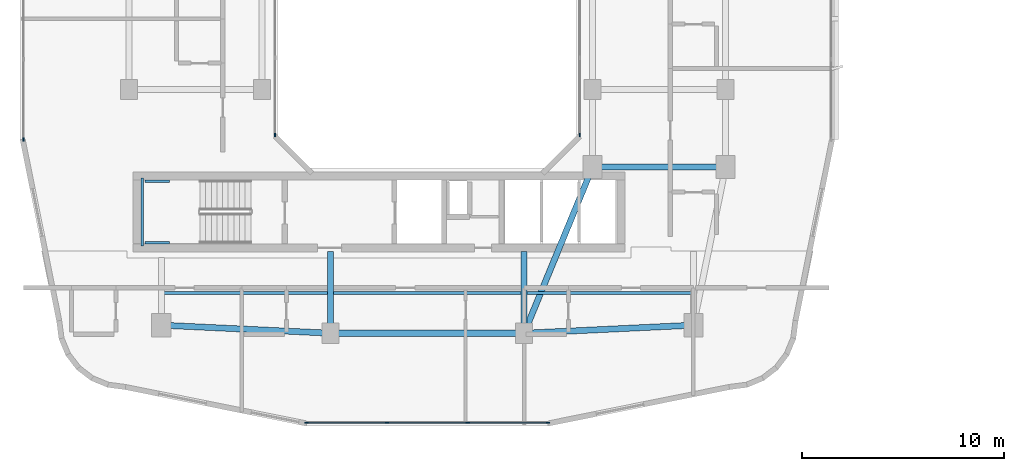
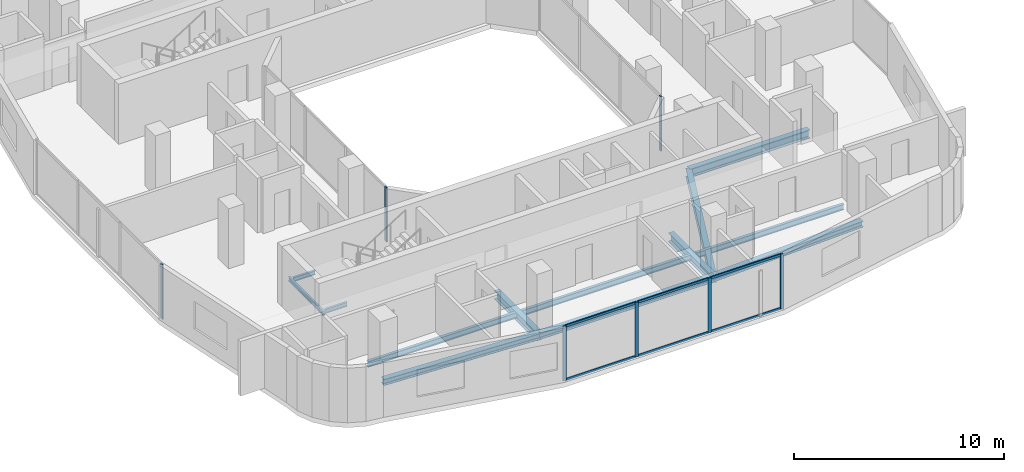
# One storey, part 2 of 26: 13 beams, 13 members, 4 elements without a shape of their own.
"""IFC4 building model written with IfcOpenShell, lengths in metres."""

from ifc_helpers import new_model, si_unit, derived_unit, direction, frame, origin, origin_2d, place, context, subcontext, project, spatial, rectangle, i_section, extrude, material, layer, layer_set, material_profile, profile_set, type_object, element, aggregate, save


model = new_model("IFC4")

# Units and contexts
model_context = context("Model", 3, precision=1e-05, world=origin(), true_north=direction((0.0, 1.0)))
body_context = subcontext(model_context, "Body", "Model", "MODEL_VIEW")
ifc_project = project(units=[si_unit("LENGTHUNIT", "METRE"), si_unit("AREAUNIT", "SQUARE_METRE"), si_unit("VOLUMEUNIT", "CUBIC_METRE"), si_unit("PLANEANGLEUNIT", "RADIAN"), si_unit("MASSUNIT", "GRAM", prefix="KILO"), derived_unit("THERMALTRANSMITTANCEUNIT", [(si_unit("POWERUNIT", "WATT"), 1), (si_unit("LENGTHUNIT", "METRE"), -2), (si_unit("THERMODYNAMICTEMPERATUREUNIT", "KELVIN"), -1)])], contexts=[model_context])

# Site, building, storey
site_placement = place(None, origin())
site = spatial("IfcSite", under=ifc_project, at=site_placement, CompositionType="ELEMENT")
building_placement = place(site_placement, origin())
building = spatial("IfcBuilding", under=site, at=building_placement, Name="Kivonza Crest Hotel", CompositionType="ELEMENT")
storey_placement = place(building_placement, frame((0.0, 0.0, 116.0)))
storey = spatial("IfcBuildingStorey", under=building, at=storey_placement, Name="L31", CompositionType="ELEMENT", Elevation=116.0)

# Beams
ifc_material_1 = material(Name="Steel S355", Category="steel")
ifc_material_profile_1 = material_profile(ifc_material_1, i_section(OverallWidth=0.300048828125, OverallDepth=0.360107421875, WebThickness=0.012451171875, FlangeThickness=0.0224609375, FilletRadius=0.027099609375, at=origin_2d()), Name="HEB 360")
ifc_profile_set_1 = profile_set([ifc_material_profile_1], Name="Steel S355")
beam_type_1 = type_object("IfcBeamType", Name="BM-HEB360", PredefinedType="SPANDREL", material=ifc_profile_set_1)
beam_1_placement = place(storey_placement, frame((16.199951171875, 9.39990234375, -0.4599609375), z_axis=(1.0, 0.0, 0.0), x_axis=(0.0, 1.0, 0.0)))
element("IfcBeam", 1, at=beam_1_placement, inside=storey, type_object=beam_type_1, Name="Tower T1 L31 perimeter spandrel S1-S2", PredefinedType="SPANDREL", context=body_context, shape_type="SweptSolid", body=[
    extrude(i_section(OverallWidth=0.300048828125, OverallDepth=0.360107421875, WebThickness=0.012451171875, FlangeThickness=0.0224609375, FilletRadius=0.027099609375, at=origin_2d()), origin(), (0.0, 0.0, 1.0), 9.60009765625),
])
for number, where, z_axis, x_axis, name in (
    (2, (25.800048828125, 9.39990234375, -0.4599609375), (0.998867283688, 0.047583080799, 0.0), (-0.047583080799, 0.998867283688, 0.0), "Tower T1 L31 perimeter spandrel S2-SE"),
    (3, (7.800048828125, 9.800048828125, -0.4599609375), (0.998867283688, -0.047583080799, 0.0), (0.047583080799, 0.998867283688, 0.0), "Tower T1 L31 perimeter spandrel SW-S1"),
):
    element("IfcBeam", number, at=place(storey_placement, frame(where, z_axis=z_axis, x_axis=x_axis)), inside=storey, type_object=beam_type_1, Name=name, PredefinedType="SPANDREL", context=body_context, shape_type="SweptSolid", body=[
        extrude(i_section(OverallWidth=0.300048828125, OverallDepth=0.360107421875, WebThickness=0.012451171875, FlangeThickness=0.0224609375, FilletRadius=0.027099609375, at=origin_2d()), origin(), (0.0, 0.0, 1.0), 8.409423828125),
    ])
ifc_material_profile_2 = material_profile(ifc_material_1, i_section(OverallWidth=0.300048828125, OverallDepth=0.5, WebThickness=0.014404296875, FlangeThickness=0.028076171875, FilletRadius=0.027099609375, at=origin_2d()), Name="HEB 500")
ifc_profile_set_2 = profile_set([ifc_material_profile_2], Name="Steel S355")
beam_type_2 = type_object("IfcBeamType", Name="BM-HEB500", PredefinedType="BEAM", material=ifc_profile_set_2)
beam_2_placement = place(storey_placement, frame((25.800048828125, 9.39990234375, -0.530029296875), z_axis=(0.381022260404, 0.924565864109, 0.0), x_axis=(-0.924565864109, 0.381022260404, 0.0)))
element("IfcBeam", 4, at=beam_2_placement, inside=storey, type_object=beam_type_2, Name="Tower T1 L31 primary girder S1-TSE", PredefinedType="BEAM", context=body_context, shape_type="SweptSolid", body=[
    extrude(i_section(OverallWidth=0.300048828125, OverallDepth=0.5, WebThickness=0.014404296875, FlangeThickness=0.028076171875, FilletRadius=0.027099609375, at=origin_2d()), origin(), (0.0, 0.0, 1.0), 8.923095703125),
])
beam_3_placement = place(storey_placement, frame((29.199951171875, 17.64990234375, -0.530029296875), z_axis=(1.0, 0.0, 0.0), x_axis=(0.0, 1.0, 0.0)))
element("IfcBeam", 5, at=beam_3_placement, inside=storey, type_object=beam_type_2, Name="Tower T1 L31 primary girder TSE-PSE", PredefinedType="BEAM", context=body_context, shape_type="SweptSolid", body=[
    extrude(i_section(OverallWidth=0.300048828125, OverallDepth=0.5, WebThickness=0.014404296875, FlangeThickness=0.028076171875, FilletRadius=0.027099609375, at=origin_2d()), origin(), (0.0, 0.0, 1.0), 6.60009765625),
])
for number, where, z_axis, x_axis, name in (
    (6, (16.199951171875, 9.39990234375, -0.530029296875), (0.0, 1.0, 0.0), (-1.0, 0.0, 0.0), "Tower T1 L31 radial core girder RS1"),
    (7, (25.800048828125, 9.39990234375, -0.530029296875), (0.0, 1.0, 0.0), (-1.0, 0.0, 0.0), "Tower T1 L31 radial core girder RS2"),
):
    element("IfcBeam", number, at=place(storey_placement, frame(where, z_axis=z_axis, x_axis=x_axis)), inside=storey, type_object=beam_type_2, Name=name, PredefinedType="BEAM", context=body_context, shape_type="SweptSolid", body=[
        extrude(i_section(OverallWidth=0.300048828125, OverallDepth=0.5, WebThickness=0.014404296875, FlangeThickness=0.028076171875, FilletRadius=0.027099609375, at=origin_2d()), origin(), (0.0, 0.0, 1.0), 4.050048828125),
    ])
ifc_material_profile_3 = material_profile(ifc_material_1, i_section(OverallWidth=0.159912109375, OverallDepth=0.330078125, WebThickness=0.007568359375, FlangeThickness=0.011474609375, FilletRadius=0.01806640625, at=origin_2d()), Name="IPE 330")
ifc_profile_set_3 = profile_set([ifc_material_profile_3], Name="Steel S355")
beam_type_3 = type_object("IfcBeamType", Name="BM-IPE330", PredefinedType="JOIST", material=ifc_profile_set_3)
beam_4_placement = place(storey_placement, frame((7.8798828125, 11.39990234375, -0.445068359375), z_axis=(1.0, 0.0, 0.0), x_axis=(0.0, 1.0, 0.0)))
element("IfcBeam", 8, at=beam_4_placement, inside=storey, type_object=beam_type_3, Name="Tower T1 L31 South-West floor joist", PredefinedType="JOIST", context=body_context, shape_type="SweptSolid", body=[
    extrude(i_section(OverallWidth=0.159912109375, OverallDepth=0.330078125, WebThickness=0.007568359375, FlangeThickness=0.011474609375, FilletRadius=0.01806640625, at=origin_2d()), origin(), (0.0, 0.0, 1.0), 8.240234375),
])
beam_5_placement = place(storey_placement, frame((16.280029296875, 11.39990234375, -0.445068359375), z_axis=(1.0, 0.0, 0.0), x_axis=(0.0, 1.0, 0.0)))
element("IfcBeam", 9, at=beam_5_placement, inside=storey, type_object=beam_type_3, Name="Tower T1 L31 South-Mid floor joist", PredefinedType="JOIST", context=body_context, shape_type="SweptSolid", body=[
    extrude(i_section(OverallWidth=0.159912109375, OverallDepth=0.330078125, WebThickness=0.007568359375, FlangeThickness=0.011474609375, FilletRadius=0.01806640625, at=origin_2d()), origin(), (0.0, 0.0, 1.0), 9.43994140625),
])
beam_6_placement = place(storey_placement, frame((25.8798828125, 11.39990234375, -0.445068359375), z_axis=(1.0, 0.0, 0.0), x_axis=(0.0, 1.0, 0.0)))
element("IfcBeam", 10, at=beam_6_placement, inside=storey, type_object=beam_type_3, Name="Tower T1 L31 South-East floor joist", PredefinedType="JOIST", context=body_context, shape_type="SweptSolid", body=[
    extrude(i_section(OverallWidth=0.159912109375, OverallDepth=0.330078125, WebThickness=0.007568359375, FlangeThickness=0.011474609375, FilletRadius=0.01806640625, at=origin_2d()), origin(), (0.0, 0.0, 1.0), 8.240234375),
])
ifc_material_profile_4 = material_profile(ifc_material_1, i_section(OverallWidth=0.1201171875, OverallDepth=0.239990234375, WebThickness=0.006103515625, FlangeThickness=0.009765625, FilletRadius=0.014892578125, at=origin_2d()), Name="IPE 240")
ifc_profile_set_4 = profile_set([ifc_material_profile_4], Name="Steel S355")
beam_type_4 = type_object("IfcBeamType", Name="BM-LLDG-240", PredefinedType="BEAM", material=ifc_profile_set_4)
beam_7_placement = place(storey_placement, frame((6.860107421875, 13.739990234375, 1.429931640625), z_axis=(0.0, 1.0, 0.0), x_axis=(-1.0, 0.0, 0.0)))
element("IfcBeam", 11, at=beam_7_placement, inside=storey, type_object=beam_type_4, Name="Stair ST-T1-S L31 West landing corbel", PredefinedType="BEAM", context=body_context, shape_type="SweptSolid", body=[
    extrude(i_section(OverallWidth=0.1201171875, OverallDepth=0.239990234375, WebThickness=0.006103515625, FlangeThickness=0.009765625, FilletRadius=0.014892578125, at=origin_2d()), origin(), (0.0, 0.0, 1.0), 3.360107421875),
])
for number, where, z_axis, x_axis, name in (
    (12, (6.989990234375, 13.89990234375, 1.429931640625), (1.0, 0.0, 0.0), (0.0, 1.0, 0.0), "Stair ST-T1-S L31 South landing corbel"),
    (13, (6.989990234375, 16.93994140625, 1.429931640625), (1.0, 0.0, 0.0), (0.0, 1.0, 0.0), "Stair ST-T1-S L31 North landing corbel"),
):
    element("IfcBeam", number, at=place(storey_placement, frame(where, z_axis=z_axis, x_axis=x_axis)), inside=storey, type_object=beam_type_4, Name=name, PredefinedType="BEAM", context=body_context, shape_type="SweptSolid", body=[
        extrude(i_section(OverallWidth=0.1201171875, OverallDepth=0.239990234375, WebThickness=0.006103515625, FlangeThickness=0.009765625, FilletRadius=0.014892578125, at=origin_2d()), origin(), (0.0, 0.0, 1.0), 1.2099609375),
    ])

# Curtain wall, members
ifc_material_2 = material(Name="Anodised bronze aluminium and low-E double glazing", Category="aluminium")
ifc_layer_1 = layer(ifc_material_2, 0.179931640625)
ifc_layer_set_1 = layer_set([ifc_layer_1], Name="Anodised bronze aluminium and low-E double glazing")
curtain_wall_type_1 = type_object("IfcCurtainWallType", Name="CW-SYS-2", PredefinedType="NOTDEFINED", material=ifc_layer_set_1)
curtain_wall_1_placement = place(storey_placement, origin())
curtain_wall_1 = element("IfcCurtainWall", 14, at=curtain_wall_1_placement, inside=storey, type_object=curtain_wall_type_1, Name="L31 unitised curtain wall CW-T1-L31-08", PredefinedType="NOTDEFINED")
ifc_material_3 = material(Name="Anodised bronze aluminium", Category="aluminium")
ifc_material_profile_5 = material_profile(ifc_material_3, rectangle(XDim=0.06494140625, YDim=0.179931640625, at=origin_2d()), Name="CW-M 65x180")
ifc_profile_set_5 = profile_set([ifc_material_profile_5], Name="Anodised bronze aluminium")
member_type_1 = type_object("IfcMemberType", Name="CW-MUL-65x180", PredefinedType="MULLION", material=ifc_profile_set_5)
member_1_placement = place(storey_placement, frame((15.012451171875, 4.9599609375, 0.0), z_axis=(0.0, 0.0, 1.0), x_axis=(0.0, 1.0, 0.0)))
member_1 = element("IfcMember", 15, at=member_1_placement, type_object=member_type_1, Name="CW-2 mullion 1", PredefinedType="MULLION", context=body_context, shape_type="SweptSolid", body=[
    extrude(rectangle(XDim=0.06494140625, YDim=0.179931640625, at=origin_2d()), origin(), (0.0, 0.0, 1.0), 3.179931640625),
])
member_2_placement = place(storey_placement, frame((18.993408203125, 4.9599609375, 0.0), z_axis=(0.0, 0.0, 1.0), x_axis=(0.0, 1.0, 0.0)))
member_2 = element("IfcMember", 16, at=member_2_placement, type_object=member_type_1, Name="CW-2 mullion 2", PredefinedType="MULLION", context=body_context, shape_type="SweptSolid", body=[
    extrude(rectangle(XDim=0.06494140625, YDim=0.179931640625, at=origin_2d()), origin(), (0.0, 0.0, 1.0), 3.179931640625),
])
member_3_placement = place(storey_placement, frame((23.006591796875, 4.9599609375, 0.0), z_axis=(0.0, 0.0, 1.0), x_axis=(0.0, 1.0, 0.0)))
member_3 = element("IfcMember", 17, at=member_3_placement, type_object=member_type_1, Name="CW-2 mullion 3", PredefinedType="MULLION", context=body_context, shape_type="SweptSolid", body=[
    extrude(rectangle(XDim=0.06494140625, YDim=0.179931640625, at=origin_2d()), origin(), (0.0, 0.0, 1.0), 3.179931640625),
])
member_4_placement = place(storey_placement, frame((26.987548828125, 4.9599609375, 0.0), z_axis=(0.0, 0.0, 1.0), x_axis=(0.0, 1.0, 0.0)))
member_4 = element("IfcMember", 18, at=member_4_placement, type_object=member_type_1, Name="CW-2 mullion 4", PredefinedType="MULLION", context=body_context, shape_type="SweptSolid", body=[
    extrude(rectangle(XDim=0.06494140625, YDim=0.179931640625, at=origin_2d()), origin(), (0.0, 0.0, 1.0), 3.179931640625),
])

# Curtain wall, member
curtain_wall_2_placement = place(storey_placement, origin())
curtain_wall_2 = element("IfcCurtainWall", 19, at=curtain_wall_2_placement, inside=storey, type_object=curtain_wall_type_1, Name="L31 unitised curtain wall CW-T1-L31-35", PredefinedType="NOTDEFINED")
member_5_placement = place(storey_placement, frame((0.9599609375, 19.012451171875, 0.0), z_axis=(0.0, 0.0, 1.0), x_axis=(1.0, 0.0, 0.0)))
member_5 = element("IfcMember", 20, at=member_5_placement, type_object=member_type_1, Name="CW-2 mullion 4", PredefinedType="MULLION", context=body_context, shape_type="SweptSolid", body=[
    extrude(rectangle(XDim=0.06494140625, YDim=0.179931640625, at=origin_2d()), origin(), (0.0, 0.0, 1.0), 3.179931640625),
])
aggregate(curtain_wall_2, [member_5])

ifc_layer_2 = layer(ifc_material_2, 0.159912109375)
ifc_layer_set_2 = layer_set([ifc_layer_2], Name="Anodised bronze aluminium and low-E double glazing")
curtain_wall_type_2 = type_object("IfcCurtainWallType", Name="CW-SYS-5", PredefinedType="NOTDEFINED", material=ifc_layer_set_2)
curtain_wall_3_placement = place(storey_placement, origin())
curtain_wall_3 = element("IfcCurtainWall", 21, at=curtain_wall_3_placement, inside=storey, type_object=curtain_wall_type_2, Name="L31 unitised curtain wall CW-WELL-T1-L31-3", PredefinedType="NOTDEFINED")
member_6_placement = place(storey_placement, frame((28.56005859375, 19.232421875, 0.0), z_axis=(0.0, 0.0, 1.0), x_axis=(-1.0, 0.0, 0.0)))
member_6 = element("IfcMember", 22, at=member_6_placement, type_object=member_type_1, Name="CW-5 mullion 1", PredefinedType="MULLION", context=body_context, shape_type="SweptSolid", body=[
    extrude(rectangle(XDim=0.06494140625, YDim=0.179931640625, at=origin_2d()), origin(), (0.0, 0.0, 1.0), 3.179931640625),
])
aggregate(curtain_wall_3, [member_6])

curtain_wall_4_placement = place(storey_placement, origin())
curtain_wall_4 = element("IfcCurtainWall", 23, at=curtain_wall_4_placement, inside=storey, type_object=curtain_wall_type_2, Name="L31 unitised curtain wall CW-WELL-T1-L31-7", PredefinedType="NOTDEFINED")
member_7_placement = place(storey_placement, frame((13.43994140625, 19.232421875, 0.0), z_axis=(0.0, 0.0, 1.0), x_axis=(1.0, 0.0, 0.0)))
member_7 = element("IfcMember", 24, at=member_7_placement, type_object=member_type_1, Name="CW-5 mullion 4", PredefinedType="MULLION", context=body_context, shape_type="SweptSolid", body=[
    extrude(rectangle(XDim=0.06494140625, YDim=0.179931640625, at=origin_2d()), origin(), (0.0, 0.0, 1.0), 3.179931640625),
])
aggregate(curtain_wall_4, [member_7])

# Member
ifc_material_profile_6 = material_profile(ifc_material_3, rectangle(XDim=0.06494140625, YDim=0.139892578125, at=origin_2d()), Name="CW-T 65x140")
ifc_profile_set_6 = profile_set([ifc_material_profile_6], Name="Anodised bronze aluminium")
member_type_2 = type_object("IfcMemberType", Name="CW-TRN-65x140", PredefinedType="USERDEFINED", material=ifc_profile_set_6)
member_8_placement = place(storey_placement, frame((15.044921875, 4.9599609375, 0.032470703125), z_axis=(1.0, 0.0, 0.0), x_axis=(0.0, 1.0, 0.0)))
member_8 = element("IfcMember", 25, at=member_8_placement, type_object=member_type_2, Name="CW-2 transom 1.1", ObjectType="TRANSOM", PredefinedType="USERDEFINED", context=body_context, shape_type="SweptSolid", body=[
    extrude(rectangle(XDim=0.06494140625, YDim=0.139892578125, at=origin_2d()), origin(), (0.0, 0.0, 1.0), 3.916015625),
])

member_9_placement = place(storey_placement, frame((15.044921875, 4.9599609375, 3.1474609375), z_axis=(1.0, 0.0, 0.0), x_axis=(0.0, 1.0, 0.0)))
member_9 = element("IfcMember", 26, at=member_9_placement, type_object=member_type_2, Name="CW-2 transom 1.2", ObjectType="TRANSOM", PredefinedType="USERDEFINED", context=body_context, shape_type="SweptSolid", body=[
    extrude(rectangle(XDim=0.06494140625, YDim=0.139892578125, at=origin_2d()), origin(), (0.0, 0.0, 1.0), 3.916015625),
])

member_10_placement = place(storey_placement, frame((19.02587890625, 4.9599609375, 0.032470703125), z_axis=(1.0, 0.0, 0.0), x_axis=(0.0, 1.0, 0.0)))
member_10 = element("IfcMember", 27, at=member_10_placement, type_object=member_type_2, Name="CW-2 transom 2.1", ObjectType="TRANSOM", PredefinedType="USERDEFINED", context=body_context, shape_type="SweptSolid", body=[
    extrude(rectangle(XDim=0.06494140625, YDim=0.139892578125, at=origin_2d()), origin(), (0.0, 0.0, 1.0), 3.9482421875),
])

member_11_placement = place(storey_placement, frame((19.02587890625, 4.9599609375, 3.1474609375), z_axis=(1.0, 0.0, 0.0), x_axis=(0.0, 1.0, 0.0)))
member_11 = element("IfcMember", 28, at=member_11_placement, type_object=member_type_2, Name="CW-2 transom 2.2", ObjectType="TRANSOM", PredefinedType="USERDEFINED", context=body_context, shape_type="SweptSolid", body=[
    extrude(rectangle(XDim=0.06494140625, YDim=0.139892578125, at=origin_2d()), origin(), (0.0, 0.0, 1.0), 3.9482421875),
])

member_12_placement = place(storey_placement, frame((23.0390625, 4.9599609375, 0.032470703125), z_axis=(1.0, 0.0, 0.0), x_axis=(0.0, 1.0, 0.0)))
member_12 = element("IfcMember", 29, at=member_12_placement, type_object=member_type_2, Name="CW-2 transom 3.1", ObjectType="TRANSOM", PredefinedType="USERDEFINED", context=body_context, shape_type="SweptSolid", body=[
    extrude(rectangle(XDim=0.06494140625, YDim=0.139892578125, at=origin_2d()), origin(), (0.0, 0.0, 1.0), 3.916015625),
])

member_13_placement = place(storey_placement, frame((23.0390625, 4.9599609375, 3.1474609375), z_axis=(1.0, 0.0, 0.0), x_axis=(0.0, 1.0, 0.0)))
member_13 = element("IfcMember", 30, at=member_13_placement, type_object=member_type_2, Name="CW-2 transom 3.2", ObjectType="TRANSOM", PredefinedType="USERDEFINED", context=body_context, shape_type="SweptSolid", body=[
    extrude(rectangle(XDim=0.06494140625, YDim=0.139892578125, at=origin_2d()), origin(), (0.0, 0.0, 1.0), 3.916015625),
])

aggregate(curtain_wall_1, [member_1, member_2, member_3, member_4, member_8, member_9, member_10, member_11, member_12, member_13])

save(model, "model.ifc")
